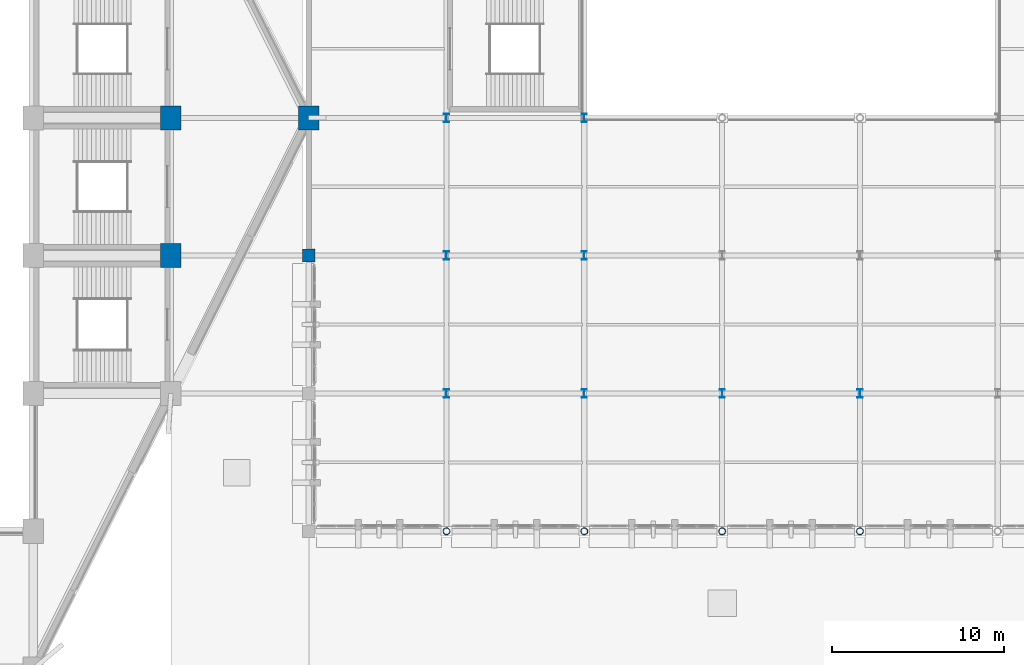
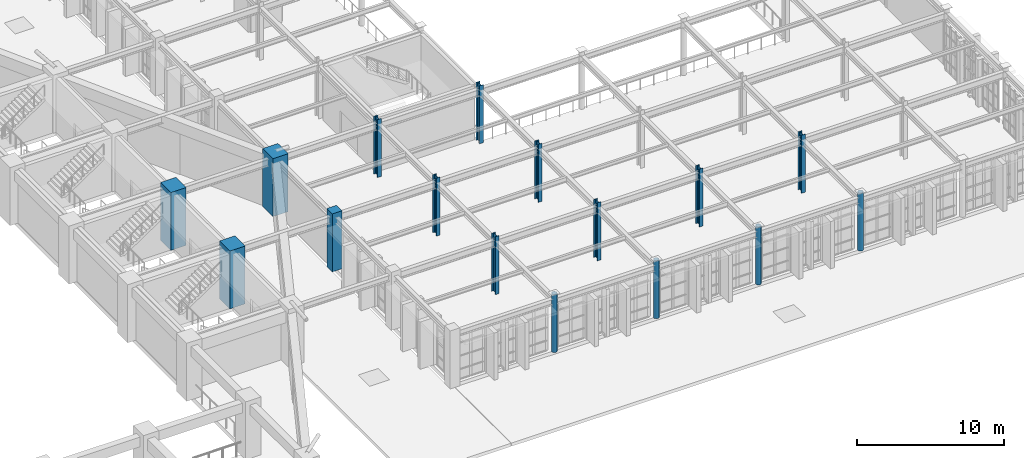
# One storey, part 2 of 155: 16 columns.
"""IFC4 building model written with IfcOpenShell, lengths in metres."""

from ifc_helpers import new_model, si_unit, direction, frame, origin, origin_2d, place, context, subcontext, project, spatial, rectangle, hollow_circle, i_section, extrude, material, material_profile, profile_set, type_object, element, save


model = new_model("IFC4")

# Units and contexts
model_context = context("Model", 3, precision=1e-05, world=origin(), true_north=direction((0.0, 1.0)))
body_context = subcontext(model_context, "Body", "Model", "MODEL_VIEW")
ifc_project = project(units=[si_unit("LENGTHUNIT", "METRE"), si_unit("AREAUNIT", "SQUARE_METRE"), si_unit("VOLUMEUNIT", "CUBIC_METRE"), si_unit("PLANEANGLEUNIT", "RADIAN"), si_unit("MASSUNIT", "GRAM", prefix="KILO")], contexts=[model_context])

# Site, building, storey
site_placement = place(None, origin())
site = spatial("IfcSite", under=ifc_project, at=site_placement, CompositionType="ELEMENT")
building_placement = place(site_placement, origin())
building = spatial("IfcBuilding", under=site, at=building_placement, Name="Tazarka Park Arena", CompositionType="ELEMENT")
storey_placement = place(building_placement, frame((0.0, 0.0, 5.39990234375)))
storey = spatial("IfcBuildingStorey", under=building, at=storey_placement, Name="L01", CompositionType="ELEMENT", Elevation=5.39990234375)

# Columns
ifc_material_1 = material(Name="Concrete C40/50", Category="concrete")
ifc_material_profile_1 = material_profile(ifc_material_1, rectangle(XDim=0.75, YDim=0.75, at=origin_2d()), Name="Concrete C40/50")
ifc_profile_set_1 = profile_set([ifc_material_profile_1], Name="Concrete C40/50")
column_type_1 = type_object("IfcColumnType", Name="COL-C-02", PredefinedType="COLUMN", material=ifc_profile_set_1)
column_placement = place(storey_placement, frame((136.0, 56.0, 0.0), z_axis=(0.0, 0.0, 1.0), x_axis=(1.0, 0.0, 0.0)))
element("IfcColumn", 1, at=column_placement, inside=storey, type_object=column_type_1, Name="CLM-L01-17-07", PredefinedType="COLUMN", context=body_context, shape_type="SweptSolid", body=[
    extrude(rectangle(XDim=0.75, YDim=0.75, at=origin_2d()), origin(), (0.0, 0.0, 1.0), 4.800048828125),
])
ifc_material_2 = material(Name="Concrete C50/60", Category="concrete")
ifc_material_profile_2 = material_profile(ifc_material_2, rectangle(XDim=1.199951171875, YDim=1.39990234375, at=origin_2d()), Name="Concrete C50/60")
ifc_profile_set_2 = profile_set([ifc_material_profile_2], Name="Concrete C50/60")
column_type_2 = type_object("IfcColumnType", Name="COL-C-05", PredefinedType="COLUMN", material=ifc_profile_set_2)
for number, where, z_axis, x_axis, name in (
    (2, (128.0, 56.0, 0.0), (0.0, 0.0, 1.0), (1.0, 0.0, 0.0), "CLM-L01-16-07"),
    (3, (128.0, 64.0, 0.0), (0.0, 0.0, 1.0), (1.0, 0.0, 0.0), "CLM-L01-16-08"),
    (4, (136.0, 64.0, 0.0), (0.0, 0.0, 1.0), (1.0, 0.0, 0.0), "CLM-L01-17-08"),
):
    element("IfcColumn", number, at=place(storey_placement, frame(where, z_axis=z_axis, x_axis=x_axis)), inside=storey, type_object=column_type_2, Name=name, PredefinedType="COLUMN", context=body_context, shape_type="SweptSolid", body=[
        extrude(rectangle(XDim=1.199951171875, YDim=1.39990234375, at=origin_2d()), origin(), (0.0, 0.0, 1.0), 4.800048828125),
    ])
ifc_material_3 = material(Name="Steel S355", Category="steel")
ifc_material_profile_3 = material_profile(ifc_material_3, i_section(OverallWidth=0.300048828125, OverallDepth=0.5, WebThickness=0.014404296875, FlangeThickness=0.028076171875, FilletRadius=0.027099609375, at=origin_2d()), Name="Steel S355")
ifc_profile_set_3 = profile_set([ifc_material_profile_3], Name="Steel S355")
column_type_3 = type_object("IfcColumnType", Name="COL-SC-02", PredefinedType="COLUMN", material=ifc_profile_set_3)
for number, where, z_axis, x_axis, name in (
    (5, (144.0, 48.0, 0.0), (0.0, 0.0, 1.0), (1.0, 0.0, 0.0), "CLM-L01-18-06"),
    (6, (144.0, 56.0, 0.0), (0.0, 0.0, 1.0), (1.0, 0.0, 0.0), "CLM-L01-18-07"),
    (7, (144.0, 64.0, 0.0), (0.0, 0.0, 1.0), (1.0, 0.0, 0.0), "CLM-L01-18-08"),
    (8, (152.0, 48.0, 0.0), (0.0, 0.0, 1.0), (1.0, 0.0, 0.0), "CLM-L01-19-06"),
    (9, (152.0, 56.0, 0.0), (0.0, 0.0, 1.0), (1.0, 0.0, 0.0), "CLM-L01-19-07"),
    (10, (152.0, 64.0, 0.0), (0.0, 0.0, 1.0), (1.0, 0.0, 0.0), "CLM-L01-19-08"),
    (11, (160.0, 48.0, 0.0), (0.0, 0.0, 1.0), (1.0, 0.0, 0.0), "CLM-L01-20-06"),
    (12, (168.0, 48.0, 0.0), (0.0, 0.0, 1.0), (1.0, 0.0, 0.0), "CLM-L01-21-06"),
):
    element("IfcColumn", number, at=place(storey_placement, frame(where, z_axis=z_axis, x_axis=x_axis)), inside=storey, type_object=column_type_3, Name=name, PredefinedType="COLUMN", context=body_context, shape_type="SweptSolid", body=[
        extrude(i_section(OverallWidth=0.300048828125, OverallDepth=0.5, WebThickness=0.014404296875, FlangeThickness=0.028076171875, FilletRadius=0.027099609375, at=origin_2d()), origin(), (0.0, 0.0, 1.0), 4.800048828125),
    ])
ifc_material_4 = material(Name="Steel S355", Category="steel")
ifc_material_profile_4 = material_profile(ifc_material_4, hollow_circle(Radius=0.203125, WallThickness=0.02001953125, at=origin_2d()), Name="Steel S355")
ifc_profile_set_4 = profile_set([ifc_material_profile_4], Name="Steel S355")
column_type_4 = type_object("IfcColumnType", Name="COL-SC-04", PredefinedType="COLUMN", material=ifc_profile_set_4)
for number, where, z_axis, x_axis, name in (
    (13, (144.0, 40.0, 0.0), (0.0, 0.0, 1.0), (1.0, 0.0, 0.0), "CLM-L01-18-05"),
    (14, (152.0, 40.0, 0.0), (0.0, 0.0, 1.0), (1.0, 0.0, 0.0), "CLM-L01-19-05"),
    (15, (160.0, 40.0, 0.0), (0.0, 0.0, 1.0), (1.0, 0.0, 0.0), "CLM-L01-20-05"),
    (16, (168.0, 40.0, 0.0), (0.0, 0.0, 1.0), (1.0, 0.0, 0.0), "CLM-L01-21-05"),
):
    element("IfcColumn", number, at=place(storey_placement, frame(where, z_axis=z_axis, x_axis=x_axis)), inside=storey, type_object=column_type_4, Name=name, PredefinedType="COLUMN", context=body_context, shape_type="SweptSolid", body=[
        extrude(hollow_circle(Radius=0.203125, WallThickness=0.02001953125, at=origin_2d()), origin(), (0.0, 0.0, 1.0), 4.800048828125),
    ])

save(model, "model.ifc")
